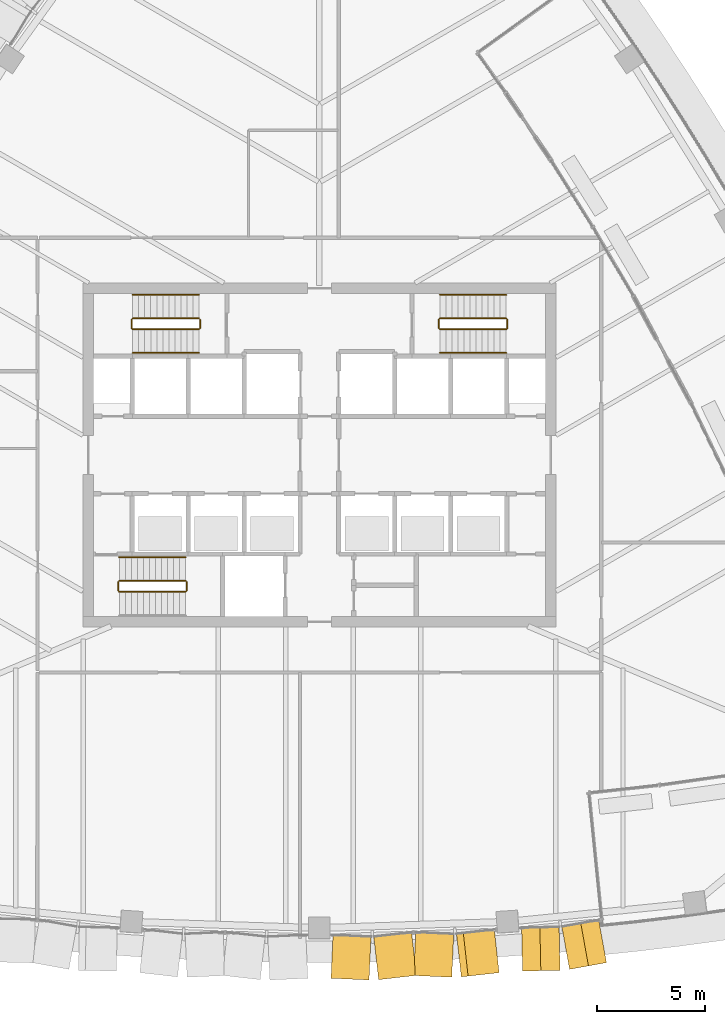
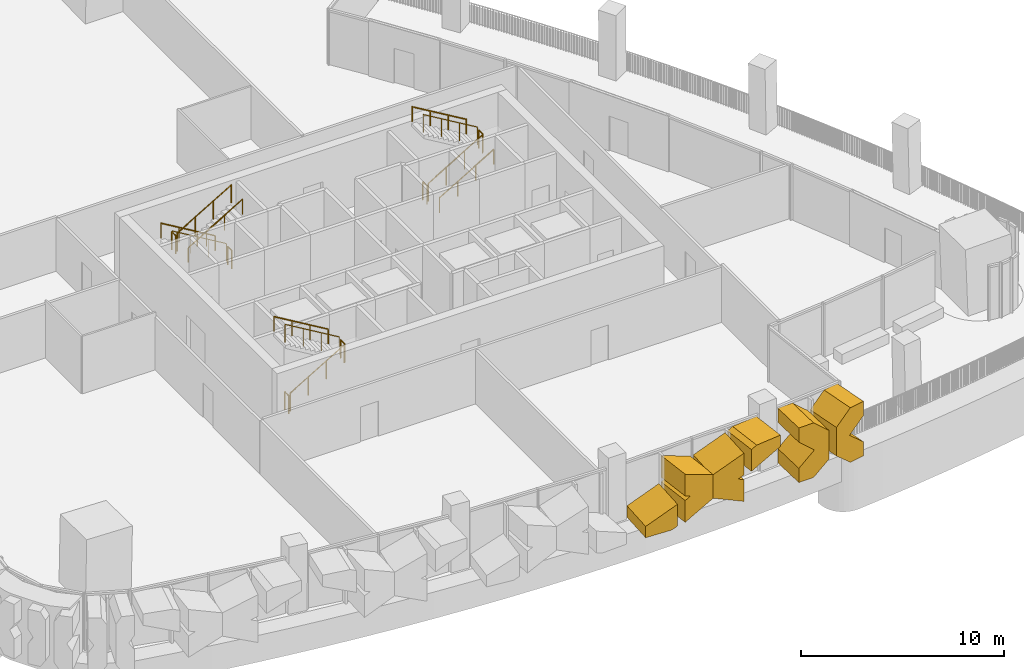
# One storey, part 17 of 20: 17 railings, 6 coverings.
"""IFC4 building model written with IfcOpenShell, lengths in metres."""

from ifc_helpers import new_model, si_unit, direction, frame, origin, origin_2d, place, context, subcontext, project, spatial, polyline, circle, outline, extrude, material, layer, layer_set, type_object, element, save


model = new_model("IFC4")

# Units and contexts
model_context = context("Model", 3, precision=1e-05, world=origin(), true_north=direction((0.0, 1.0)))
body_context = subcontext(model_context, "Body", "Model", "MODEL_VIEW")
ifc_project = project(units=[si_unit("LENGTHUNIT", "METRE"), si_unit("AREAUNIT", "SQUARE_METRE"), si_unit("VOLUMEUNIT", "CUBIC_METRE"), si_unit("PLANEANGLEUNIT", "RADIAN"), si_unit("MASSUNIT", "GRAM", prefix="KILO")], contexts=[model_context])

# Site, building, storey
site_placement = place(None, origin())
site = spatial("IfcSite", under=ifc_project, at=site_placement, CompositionType="ELEMENT")
building_placement = place(site_placement, origin())
building = spatial("IfcBuilding", under=site, at=building_placement, Name="Sierra Prisma Convention Tower", CompositionType="ELEMENT")
storey_placement = place(building_placement, frame((0.0, 0.0, 125.800048828125)))
storey = spatial("IfcBuildingStorey", under=building, at=storey_placement, Name="L26", CompositionType="ELEMENT", Elevation=125.800048828125)

# Coverings
ifc_material_1 = material(Name="Aluminium 6063-T6 bronze anodised", Category="aluminium")
ifc_layer = layer(ifc_material_1, 2.0)
ifc_layer_set = layer_set([ifc_layer], Name="Bronze crystal chevron frame")
covering_type = type_object("IfcCoveringType", Name="Bronze crystal chevron frame", PredefinedType="CLADDING", material=ifc_layer_set)
covering_1_placement = place(storey_placement, frame((1.98828125, -24.3828125, 0.0), z_axis=(-0.045125102749, -0.998981343659, -1.1116059e-05), x_axis=(0.916785879885, -0.041416661959, 0.397225767739)))
element("IfcCovering", 1, at=covering_1_placement, inside=storey, type_object=covering_type, Name="CW-2 chevron frame S4.1.1", PredefinedType="CLADDING", context=body_context, shape_type="SweptSolid", body=[
    extrude(outline(polyline([(0.0, 0.0), (0.34725706279248775, 0.0), (0.8666763040059954, 1.2000276499694962), (-1.061119952425804, 1.1999200000952601), (-1.3311093414359618, 0.5761565614255294), (0.0, 0.0)])), origin(), (0.0, 0.0, -1.0), 2.0),
])
covering_2_placement = place(storey_placement, frame((2.75, -24.38232421875, 1.501953125), z_axis=(0.111779484453, -0.993733036009, 0.0), x_axis=(0.0, 0.0, -1.0)))
element("IfcCovering", 2, at=covering_2_placement, inside=storey, type_object=covering_type, Name="CW-2 chevron frame S4.1.2", PredefinedType="CLADDING", context=body_context, shape_type="SweptSolid", body=[
    extrude(outline(polyline([(0.0, 0.0), (1.3076171875, 0.0), (0.541748046875, 1.7691437926530416), (-0.81787109375, 1.7691437926530416), (-1.583740234375, 0.0), (-0.276123046875, 0.0), (-0.137939453125, 0.31889289196036646), (0.0, 0.0)])), origin(), (0.0, 0.0, -1.0), 2.0),
])
covering_3_placement = place(storey_placement, frame((4.3837890625, -24.188720703125, 0.960205078125), z_axis=(-0.045125510946, -0.998981325282, 0.0), x_axis=(0.916763901934, -0.041411624467, -0.397277013518)))
element("IfcCovering", 3, at=covering_3_placement, inside=storey, type_object=covering_type, Name="CW-2 chevron frame S4.2.1", PredefinedType="CLADDING", context=body_context, shape_type="SweptSolid", body=[
    extrude(outline(polyline([(0.0, 0.0), (1.9277962594498985, 1.1102230246251565e-16), (1.4083100083753815, 1.1999986433283807), (1.0608291269044166, 1.1998823592845649), (1.298612668949452, 1.4533964150991796), (0.7791264178749351, 2.6533950584275603), (-0.5401454317091084, 1.2477207701074966), (0.0, 0.0)])), origin(), (0.0, 0.0, -1.0), 2.0),
])
covering_4_placement = place(storey_placement, frame((6.59423828125, -24.253662109375, 1.834228515625), z_axis=(0.111641590463, -0.993748537039, 2.0271274e-05), x_axis=(0.911959279059, 0.102461169947, 0.397280734483)))
element("IfcCovering", 4, at=covering_4_placement, inside=storey, type_object=covering_type, Name="CW-2 chevron frame S4.2.2", PredefinedType="CLADDING", context=body_context, shape_type="SweptSolid", body=[
    extrude(outline(polyline([(0.0, 0.0), (1.9277782028964534, 0.0), (2.197901944482201, 0.6239713134149251), (0.8670358849216924, 1.2001172233058668), (0.5194911166726272, 1.1999965366787573), (0.0, 0.0)])), origin(), (0.0, 0.0, -1.0), 2.0),
])
covering_5_placement = place(storey_placement, frame((9.44140625, -23.983642578125, 0.0), z_axis=(0.021862004395, -0.999760997821, 0.0), x_axis=(0.999760997821, 0.021862004395, 0.0)))
element("IfcCovering", 5, at=covering_5_placement, inside=storey, type_object=covering_type, Name="CW-2 chevron frame S5.1.1", PredefinedType="CLADDING", context=body_context, shape_type="SweptSolid", body=[
    extrude(outline(polyline([(0.0, 0.0), (0.8495678768928019, 0.0), (1.7435800774235393, 0.7846679687500002), (1.7435800774235393, 2.4953613281250004), (0.8495678768928019, 3.280029296875001), (0.0, 3.280029296875001), (0.0, 2.4289550781250004), (0.8988938460279096, 1.6398925781250004), (0.0, 0.8510742187500002), (0.0, 0.0)])), origin(), (0.0, 0.0, -1.0), 2.0),
])
covering_6_placement = place(storey_placement, frame((11.625732421875, -23.9013671875, 0.78466796875), z_axis=(0.177985580249, -0.984033095594, 0.0), x_axis=(0.739541308793, 0.133763477624, -0.65968627744)))
element("IfcCovering", 6, at=covering_6_placement, inside=storey, type_object=covering_type, Name="CW-2 chevron frame S5.1.2", PredefinedType="CLADDING", context=body_context, shape_type="SweptSolid", body=[
    extrude(outline(polyline([(0.0, 0.0), (1.1894562545615845, 0.0), (1.8278813116795414, 0.5603955032481046), (1.2664393284868087, 1.2000127523350366), (0.07053610533996757, 1.1998762513736674), (0.2255329781211659, 2.3858550589468672), (-0.33590900507156674, 3.025472308033799), (-0.9743340621895238, 2.4650768047856944), (-1.1285209340882036, 1.2856563581044556), (0.0, 0.0)])), origin(), (0.0, 0.0, -1.0), 2.0),
])

# Railings
ifc_material_2 = material(Name="Stainless steel", Category="steel")
railing_type_1 = type_object("IfcRailingType", Name="Exit stair handrail", PredefinedType="HANDRAIL", material=ifc_material_2)
railing_1_placement = place(storey_placement, frame((-6.219970703125, -4.75, 2.16650390625)))
element("IfcRailing", 7, at=railing_1_placement, inside=storey, type_object=railing_type_1, Name="L26 S1 stair handrail 2", PredefinedType="HANDRAIL", context=body_context, shape_type="SweptSolid", body=[
    extrude(circle(Radius=0.02392578125, at=origin_2d()), frame((0.0, 0.0, 0.8759765625), z_axis=(-0.85927862911, 0.0, 0.511507807912), x_axis=(0.0, -1.0, 0.0)), (0.0, 0.0, 1.0), 3.58447265625),
    extrude(circle(Radius=0.02099609375, at=origin_2d()), origin(), (0.0, 0.0, 1.0), 0.851806640625),
    extrude(circle(Radius=0.02099609375, at=origin_2d()), frame((-1.026611328125, 0.0, 0.611083984375)), (0.0, 0.0, 1.0), 0.851806640625),
    extrude(circle(Radius=0.02099609375, at=origin_2d()), frame((-2.053466796875, 0.0, 1.222412109375)), (0.0, 0.0, 1.0), 0.851806640625),
    extrude(circle(Radius=0.02099609375, at=origin_2d()), frame((-3.080078125, 0.0, 1.83349609375)), (0.0, 0.0, 1.0), 0.851806640625),
])
railing_2_placement = place(storey_placement, frame((-5.60009765625, 7.449951171875, 0.16650390625)))
element("IfcRailing", 8, at=railing_2_placement, inside=storey, type_object=railing_type_1, Name="L26 S3 stair handrail 1", PredefinedType="HANDRAIL", context=body_context, shape_type="SweptSolid", body=[
    extrude(circle(Radius=0.02392578125, at=origin_2d()), frame((0.0, 0.0, 0.8759765625), z_axis=(-0.859260807169, 0.0, 0.511537745687), x_axis=(0.0, -1.0, 0.0)), (0.0, 0.0, 1.0), 3.584228515625),
    extrude(circle(Radius=0.02099609375, at=origin_2d()), origin(), (0.0, 0.0, 1.0), 0.851806640625),
    extrude(circle(Radius=0.02099609375, at=origin_2d()), frame((-1.026611328125, 0.0, 0.611083984375)), (0.0, 0.0, 1.0), 0.851806640625),
    extrude(circle(Radius=0.02099609375, at=origin_2d()), frame((-2.05322265625, 0.0, 1.222412109375)), (0.0, 0.0, 1.0), 0.851806640625),
    extrude(circle(Radius=0.02099609375, at=origin_2d()), frame((-3.079833984375, 0.0, 1.83349609375)), (0.0, 0.0, 1.0), 0.851806640625),
])
for number, where, name in (
    (9, (-8.679931640625, 4.75, 2.16650390625), "L26 S3 stair handrail 2"),
    (10, (5.60009765625, 4.75, 0.16650390625), "L26 S4 stair handrail 1"),
):
    element("IfcRailing", number, at=place(storey_placement, frame(where)), inside=storey, type_object=railing_type_1, Name=name, PredefinedType="HANDRAIL", context=body_context, shape_type="SweptSolid", body=[
        extrude(circle(Radius=0.02392578125, at=origin_2d()), frame((0.0, 0.0, 0.8759765625), z_axis=(0.859260807169, 0.0, 0.511537745687), x_axis=(0.0, 1.0, 0.0)), (0.0, 0.0, 1.0), 3.584228515625),
        extrude(circle(Radius=0.02099609375, at=origin_2d()), origin(), (0.0, 0.0, 1.0), 0.851806640625),
        extrude(circle(Radius=0.02099609375, at=origin_2d()), frame((1.026611328125, 0.0, 0.611083984375)), (0.0, 0.0, 1.0), 0.851806640625),
        extrude(circle(Radius=0.02099609375, at=origin_2d()), frame((2.05322265625, 0.0, 1.222412109375)), (0.0, 0.0, 1.0), 0.851806640625),
        extrude(circle(Radius=0.02099609375, at=origin_2d()), frame((3.079833984375, 0.0, 1.83349609375)), (0.0, 0.0, 1.0), 0.851806640625),
    ])
railing_3_placement = place(storey_placement, frame((8.679931640625, 7.449951171875, 2.16650390625)))
element("IfcRailing", 11, at=railing_3_placement, inside=storey, type_object=railing_type_1, Name="L26 S4 stair handrail 2", PredefinedType="HANDRAIL", context=body_context, shape_type="SweptSolid", body=[
    extrude(circle(Radius=0.02392578125, at=origin_2d()), frame((0.0, 0.0, 0.8759765625), z_axis=(-0.859260807169, 0.0, 0.511537745687), x_axis=(0.0, -1.0, 0.0)), (0.0, 0.0, 1.0), 3.584228515625),
    extrude(circle(Radius=0.02099609375, at=origin_2d()), origin(), (0.0, 0.0, 1.0), 0.851806640625),
    extrude(circle(Radius=0.02099609375, at=origin_2d()), frame((-1.026611328125, 0.0, 0.611083984375)), (0.0, 0.0, 1.0), 0.851806640625),
    extrude(circle(Radius=0.02099609375, at=origin_2d()), frame((-2.05322265625, 0.0, 1.222412109375)), (0.0, 0.0, 1.0), 0.851806640625),
    extrude(circle(Radius=0.02099609375, at=origin_2d()), frame((-3.079833984375, 0.0, 1.83349609375)), (0.0, 0.0, 1.0), 0.851806640625),
])
ifc_material_3 = material(Name="Stainless steel", Category="steel")
railing_type_2 = type_object("IfcRailingType", Name="Stair guard 1100", PredefinedType="GUARDRAIL", material=ifc_material_3)
railing_4_placement = place(storey_placement, frame((-9.300048828125, -6.35009765625, 0.16650390625)))
element("IfcRailing", 12, at=railing_4_placement, inside=storey, type_object=railing_type_2, Name="L26 S1 stair guard 1", PredefinedType="GUARDRAIL", context=body_context, shape_type="SweptSolid", body=[
    extrude(circle(Radius=0.02392578125, at=origin_2d()), frame((0.0, 0.0, 1.076171875), z_axis=(0.85927862911, 0.0, 0.511507807912), x_axis=(0.0, 1.0, 0.0)), (0.0, 0.0, 1.0), 3.58447265625),
    extrude(circle(Radius=0.02099609375, at=origin_2d()), origin(), (0.0, 0.0, 1.0), 1.052001953125),
    extrude(circle(Radius=0.02099609375, at=origin_2d()), frame((1.026611328125, 0.0, 0.611083984375)), (0.0, 0.0, 1.0), 1.052001953125),
    extrude(circle(Radius=0.02099609375, at=origin_2d()), frame((2.053466796875, 0.0, 1.222412109375)), (0.0, 0.0, 1.0), 1.052001953125),
    extrude(circle(Radius=0.02099609375, at=origin_2d()), frame((3.080078125, 0.0, 1.83349609375)), (0.0, 0.0, 1.0), 1.052001953125),
])
railing_5_placement = place(storey_placement, frame((-6.169921875, -6.300048828125, 2.0)))
element("IfcRailing", 13, at=railing_5_placement, inside=storey, type_object=railing_type_2, Name="L26 S1 stair guard 2", PredefinedType="GUARDRAIL", context=body_context, shape_type="SweptSolid", body=[
    extrude(circle(Radius=0.02392578125, at=origin_2d()), frame((0.0, 0.0, 1.076171875), z_axis=(0.0, 1.0, 0.0), x_axis=(-1.0, 0.0, 0.0)), (0.0, 0.0, 1.0), 0.400146484375),
    extrude(circle(Radius=0.02099609375, at=origin_2d()), origin(), (0.0, 0.0, 1.0), 1.052001953125),
    extrude(circle(Radius=0.02099609375, at=origin_2d()), frame((0.0, 0.400146484375, 0.0)), (0.0, 0.0, 1.0), 1.052001953125),
])
railing_6_placement = place(storey_placement, frame((-6.219970703125, -5.85009765625, 2.16650390625)))
element("IfcRailing", 14, at=railing_6_placement, inside=storey, type_object=railing_type_2, Name="L26 S1 stair guard 3", PredefinedType="GUARDRAIL", context=body_context, shape_type="SweptSolid", body=[
    extrude(circle(Radius=0.02392578125, at=origin_2d()), frame((0.0, 0.0, 1.076171875), z_axis=(-0.85927862911, 0.0, 0.511507807912), x_axis=(0.0, -1.0, 0.0)), (0.0, 0.0, 1.0), 3.58447265625),
    extrude(circle(Radius=0.02099609375, at=origin_2d()), origin(), (0.0, 0.0, 1.0), 1.052001953125),
    extrude(circle(Radius=0.02099609375, at=origin_2d()), frame((-1.026611328125, 0.0, 0.611083984375)), (0.0, 0.0, 1.0), 1.052001953125),
    extrude(circle(Radius=0.02099609375, at=origin_2d()), frame((-2.053466796875, 0.0, 1.222412109375)), (0.0, 0.0, 1.0), 1.052001953125),
    extrude(circle(Radius=0.02099609375, at=origin_2d()), frame((-3.080078125, 0.0, 1.83349609375)), (0.0, 0.0, 1.0), 1.052001953125),
])
railing_7_placement = place(storey_placement, frame((-9.35009765625, -6.300048828125, 0.0)))
element("IfcRailing", 15, at=railing_7_placement, inside=storey, type_object=railing_type_2, Name="L26 S1 stair guard 4", PredefinedType="GUARDRAIL", context=body_context, shape_type="SweptSolid", body=[
    extrude(circle(Radius=0.02392578125, at=origin_2d()), frame((0.0, 0.0, 1.076171875), z_axis=(0.0, 1.0, 0.0), x_axis=(-1.0, 0.0, 0.0)), (0.0, 0.0, 1.0), 0.400146484375),
    extrude(circle(Radius=0.02099609375, at=origin_2d()), origin(), (0.0, 0.0, 1.0), 1.052001953125),
    extrude(circle(Radius=0.02099609375, at=origin_2d()), frame((0.0, 0.400146484375, 0.0)), (0.0, 0.0, 1.0), 1.052001953125),
])
railing_8_placement = place(storey_placement, frame((-5.60009765625, 6.35009765625, 0.16650390625)))
element("IfcRailing", 16, at=railing_8_placement, inside=storey, type_object=railing_type_2, Name="L26 S3 stair guard 1", PredefinedType="GUARDRAIL", context=body_context, shape_type="SweptSolid", body=[
    extrude(circle(Radius=0.02392578125, at=origin_2d()), frame((0.0, 0.0, 1.076171875), z_axis=(-0.859260807169, 0.0, 0.511537745687), x_axis=(0.0, -1.0, 0.0)), (0.0, 0.0, 1.0), 3.584228515625),
    extrude(circle(Radius=0.02099609375, at=origin_2d()), origin(), (0.0, 0.0, 1.0), 1.052001953125),
    extrude(circle(Radius=0.02099609375, at=origin_2d()), frame((-1.026611328125, 0.0, 0.611083984375)), (0.0, 0.0, 1.0), 1.052001953125),
    extrude(circle(Radius=0.02099609375, at=origin_2d()), frame((-2.05322265625, 0.0, 1.222412109375)), (0.0, 0.0, 1.0), 1.052001953125),
    extrude(circle(Radius=0.02099609375, at=origin_2d()), frame((-3.079833984375, 0.0, 1.83349609375)), (0.0, 0.0, 1.0), 1.052001953125),
])
railing_9_placement = place(storey_placement, frame((-8.72998046875, 6.300048828125, 2.0)))
element("IfcRailing", 17, at=railing_9_placement, inside=storey, type_object=railing_type_2, Name="L26 S3 stair guard 2", PredefinedType="GUARDRAIL", context=body_context, shape_type="SweptSolid", body=[
    extrude(circle(Radius=0.02392578125, at=origin_2d()), frame((0.0, 0.0, 1.076171875), z_axis=(0.0, -1.0, 0.0), x_axis=(1.0, 0.0, 0.0)), (0.0, 0.0, 1.0), 0.400146484375),
    extrude(circle(Radius=0.02099609375, at=origin_2d()), origin(), (0.0, 0.0, 1.0), 1.052001953125),
    extrude(circle(Radius=0.02099609375, at=origin_2d()), frame((0.0, -0.400146484375, 0.0)), (0.0, 0.0, 1.0), 1.052001953125),
])
railing_10_placement = place(storey_placement, frame((-8.679931640625, 5.85009765625, 2.16650390625)))
element("IfcRailing", 18, at=railing_10_placement, inside=storey, type_object=railing_type_2, Name="L26 S3 stair guard 3", PredefinedType="GUARDRAIL", context=body_context, shape_type="SweptSolid", body=[
    extrude(circle(Radius=0.02392578125, at=origin_2d()), frame((0.0, 0.0, 1.076171875), z_axis=(0.859260807169, 0.0, 0.511537745687), x_axis=(0.0, 1.0, 0.0)), (0.0, 0.0, 1.0), 3.584228515625),
    extrude(circle(Radius=0.02099609375, at=origin_2d()), origin(), (0.0, 0.0, 1.0), 1.052001953125),
    extrude(circle(Radius=0.02099609375, at=origin_2d()), frame((1.026611328125, 0.0, 0.611083984375)), (0.0, 0.0, 1.0), 1.052001953125),
    extrude(circle(Radius=0.02099609375, at=origin_2d()), frame((2.05322265625, 0.0, 1.222412109375)), (0.0, 0.0, 1.0), 1.052001953125),
    extrude(circle(Radius=0.02099609375, at=origin_2d()), frame((3.079833984375, 0.0, 1.83349609375)), (0.0, 0.0, 1.0), 1.052001953125),
])
railing_11_placement = place(storey_placement, frame((-5.550048828125, 6.300048828125, 0.0)))
element("IfcRailing", 19, at=railing_11_placement, inside=storey, type_object=railing_type_2, Name="L26 S3 stair guard 4", PredefinedType="GUARDRAIL", context=body_context, shape_type="SweptSolid", body=[
    extrude(circle(Radius=0.02392578125, at=origin_2d()), frame((0.0, 0.0, 1.076171875), z_axis=(0.0, -1.0, 0.0), x_axis=(1.0, 0.0, 0.0)), (0.0, 0.0, 1.0), 0.400146484375),
    extrude(circle(Radius=0.02099609375, at=origin_2d()), origin(), (0.0, 0.0, 1.0), 1.052001953125),
    extrude(circle(Radius=0.02099609375, at=origin_2d()), frame((0.0, -0.400146484375, 0.0)), (0.0, 0.0, 1.0), 1.052001953125),
])
railing_12_placement = place(storey_placement, frame((5.60009765625, 5.85009765625, 0.16650390625)))
element("IfcRailing", 20, at=railing_12_placement, inside=storey, type_object=railing_type_2, Name="L26 S4 stair guard 1", PredefinedType="GUARDRAIL", context=body_context, shape_type="SweptSolid", body=[
    extrude(circle(Radius=0.02392578125, at=origin_2d()), frame((0.0, 0.0, 1.076171875), z_axis=(0.859260807169, 0.0, 0.511537745687), x_axis=(0.0, 1.0, 0.0)), (0.0, 0.0, 1.0), 3.584228515625),
    extrude(circle(Radius=0.02099609375, at=origin_2d()), origin(), (0.0, 0.0, 1.0), 1.052001953125),
    extrude(circle(Radius=0.02099609375, at=origin_2d()), frame((1.026611328125, 0.0, 0.611083984375)), (0.0, 0.0, 1.0), 1.052001953125),
    extrude(circle(Radius=0.02099609375, at=origin_2d()), frame((2.05322265625, 0.0, 1.222412109375)), (0.0, 0.0, 1.0), 1.052001953125),
    extrude(circle(Radius=0.02099609375, at=origin_2d()), frame((3.079833984375, 0.0, 1.83349609375)), (0.0, 0.0, 1.0), 1.052001953125),
])
railing_13_placement = place(storey_placement, frame((8.72998046875, 5.89990234375, 2.0)))
element("IfcRailing", 21, at=railing_13_placement, inside=storey, type_object=railing_type_2, Name="L26 S4 stair guard 2", PredefinedType="GUARDRAIL", context=body_context, shape_type="SweptSolid", body=[
    extrude(circle(Radius=0.02392578125, at=origin_2d()), frame((0.0, 0.0, 1.076171875), z_axis=(0.0, 1.0, 0.0), x_axis=(-1.0, 0.0, 0.0)), (0.0, 0.0, 1.0), 0.400146484375),
    extrude(circle(Radius=0.02099609375, at=origin_2d()), origin(), (0.0, 0.0, 1.0), 1.052001953125),
    extrude(circle(Radius=0.02099609375, at=origin_2d()), frame((0.0, 0.400146484375, 0.0)), (0.0, 0.0, 1.0), 1.052001953125),
])
railing_14_placement = place(storey_placement, frame((8.679931640625, 6.35009765625, 2.16650390625)))
element("IfcRailing", 22, at=railing_14_placement, inside=storey, type_object=railing_type_2, Name="L26 S4 stair guard 3", PredefinedType="GUARDRAIL", context=body_context, shape_type="SweptSolid", body=[
    extrude(circle(Radius=0.02392578125, at=origin_2d()), frame((0.0, 0.0, 1.076171875), z_axis=(-0.859260807169, 0.0, 0.511537745687), x_axis=(0.0, -1.0, 0.0)), (0.0, 0.0, 1.0), 3.584228515625),
    extrude(circle(Radius=0.02099609375, at=origin_2d()), origin(), (0.0, 0.0, 1.0), 1.052001953125),
    extrude(circle(Radius=0.02099609375, at=origin_2d()), frame((-1.026611328125, 0.0, 0.611083984375)), (0.0, 0.0, 1.0), 1.052001953125),
    extrude(circle(Radius=0.02099609375, at=origin_2d()), frame((-2.05322265625, 0.0, 1.222412109375)), (0.0, 0.0, 1.0), 1.052001953125),
    extrude(circle(Radius=0.02099609375, at=origin_2d()), frame((-3.079833984375, 0.0, 1.83349609375)), (0.0, 0.0, 1.0), 1.052001953125),
])
railing_15_placement = place(storey_placement, frame((5.550048828125, 5.89990234375, 0.0)))
element("IfcRailing", 23, at=railing_15_placement, inside=storey, type_object=railing_type_2, Name="L26 S4 stair guard 4", PredefinedType="GUARDRAIL", context=body_context, shape_type="SweptSolid", body=[
    extrude(circle(Radius=0.02392578125, at=origin_2d()), frame((0.0, 0.0, 1.076171875), z_axis=(0.0, 1.0, 0.0), x_axis=(-1.0, 0.0, 0.0)), (0.0, 0.0, 1.0), 0.400146484375),
    extrude(circle(Radius=0.02099609375, at=origin_2d()), origin(), (0.0, 0.0, 1.0), 1.052001953125),
    extrude(circle(Radius=0.02099609375, at=origin_2d()), frame((0.0, 0.400146484375, 0.0)), (0.0, 0.0, 1.0), 1.052001953125),
])

save(model, "model.ifc")
